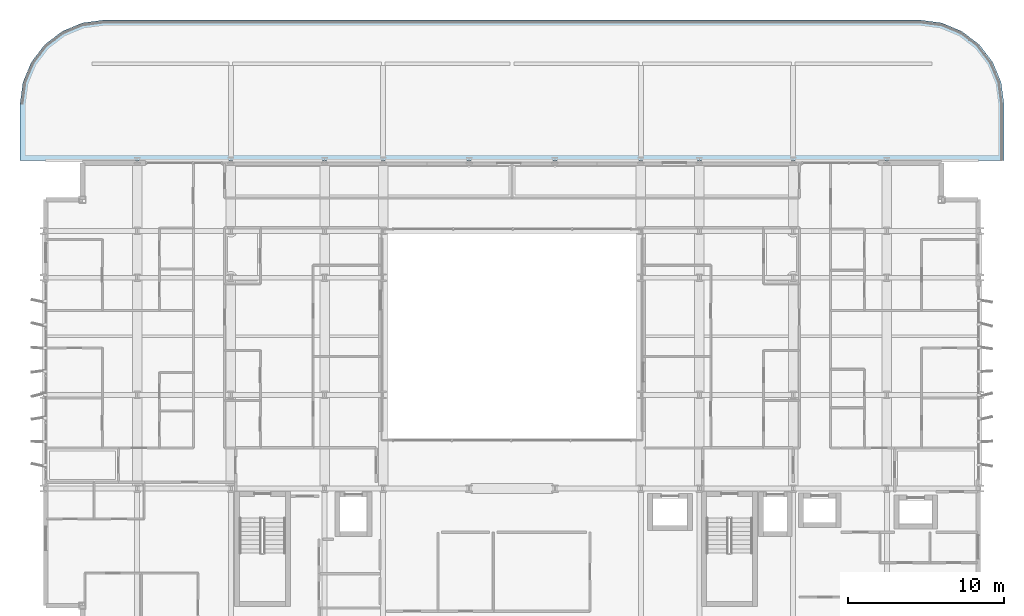
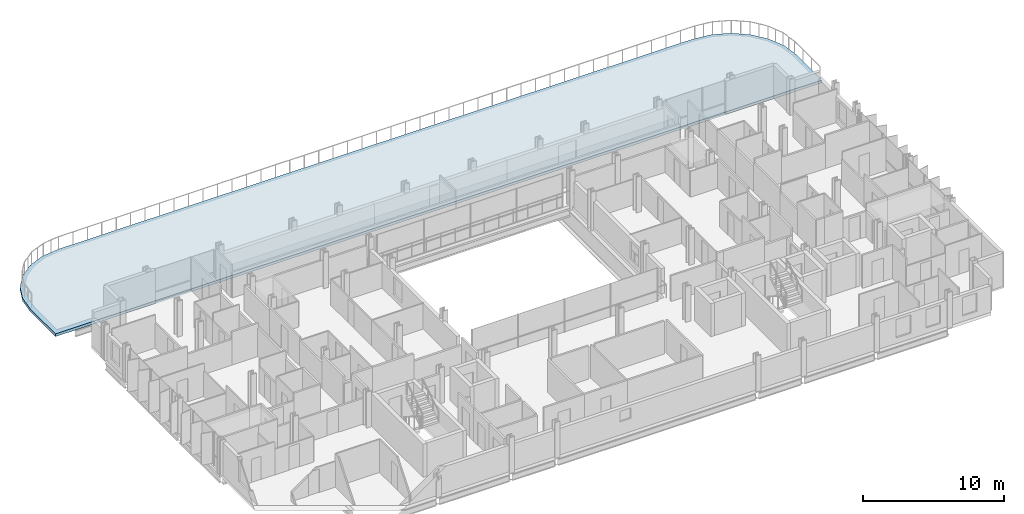
# One storey, part 25 of 38: 1 slab.
"""IFC4 building model written with IfcOpenShell, lengths in metres."""

import ifcopenshell
import ifcopenshell.guid

model = None  # the IFC model being written
_history = None  # IfcOwnerHistory: only IFC2X3 demands one
_inside = {}  # id of a spatial element -> (the spatial element, [elements in it])
_under = {}  # id of a project, library or spatial element -> (it, [spatial elements below it])
_declared = {}  # id of a project -> (the project, [libraries it declares])
_typed = {}  # id of a type object -> (the type object, [elements of that type])
_made_of = {}  # id of a material, layer set ... -> (it, [elements and type objects made of it])


def new_model(schema):
    """Start an empty IFC model of exactly this schema.

    Asked for "IFC4X3", IfcOpenShell would pick the latest addendum, in which some entities
    have other attributes; the version numbers below select the first issue.
    IFC2X3 requires an IfcOwnerHistory on every rooted entity: one is made here for all.
    """
    global model, _history
    if schema == "IFC4X3":
        model = ifcopenshell.file(schema_version=(4, 3, 0, 0))
    else:
        model = ifcopenshell.file(schema=schema)
    _inside.clear()
    _under.clear()
    _declared.clear()
    _typed.clear()
    _made_of.clear()
    _history = None
    if model.schema == "IFC2X3":
        org = make("IfcOrganization", Name="unknown")
        user = make(
            "IfcPersonAndOrganization",
            ThePerson=make("IfcPerson", FamilyName="unknown"),
            TheOrganization=org,
        )
        app = make(
            "IfcApplication",
            ApplicationDeveloper=org,
            Version="unknown",
            ApplicationFullName="unknown",
            ApplicationIdentifier="unknown",
        )
        _history = make(
            "IfcOwnerHistory",
            OwningUser=user,
            OwningApplication=app,
            ChangeAction="ADDED",
            CreationDate=0,
        )
    return model


def make(cls, **values):
    """One entity of the class cls with the attributes given. An attribute that is None is left unset."""
    return model.create_entity(
        cls, **{name: value for name, value in values.items() if value is not None}
    )


def rooted(cls, **values):
    """An entity with a GlobalId (a new one), such as an element, a storey or a relation."""
    return make(cls, GlobalId=ifcopenshell.guid.new(), OwnerHistory=_history, **values)


def si_unit(unit_type, name, prefix=None):
    """IfcSIUnit, for example si_unit("LENGTHUNIT", "METRE", prefix="MILLI")."""
    return make("IfcSIUnit", UnitType=unit_type, Prefix=prefix, Name=name)


def assignment(units):
    """IfcUnitAssignment: the units of a project."""
    return None if units is None else make("IfcUnitAssignment", Units=units)


def point(xyz):
    """IfcCartesianPoint."""
    return None if xyz is None else make("IfcCartesianPoint", Coordinates=xyz)


def direction(xyz):
    """IfcDirection."""
    return None if xyz is None else make("IfcDirection", DirectionRatios=xyz)


def frame(location, z_axis=None, x_axis=None):
    """IfcAxis2Placement3D, a coordinate frame: its origin and axes. An axis left out is left unset."""
    return make(
        "IfcAxis2Placement3D",
        Location=point(location),
        Axis=direction(z_axis),
        RefDirection=direction(x_axis),
    )


def origin():
    """The frame at (0, 0, 0) with its axes left unset."""
    return frame((0.0, 0.0, 0.0))


def place(relative_to, where):
    """IfcLocalPlacement: puts the frame where relative to a parent placement (None: the world)."""
    return make(
        "IfcLocalPlacement", PlacementRelTo=relative_to, RelativePlacement=where
    )


def context(
    kind, dimensions, precision=None, world=None, true_north=None, identifier=None
):
    """IfcGeometricRepresentationContext, for example the 3D "Model" context."""
    return make(
        "IfcGeometricRepresentationContext",
        ContextIdentifier=identifier,
        ContextType=kind,
        CoordinateSpaceDimension=dimensions,
        Precision=precision,
        WorldCoordinateSystem=world,
        TrueNorth=true_north,
    )


def subcontext(parent, identifier, kind, view, scale=None):
    """IfcGeometricRepresentationSubContext, for example "Body" below "Model"."""
    return make(
        "IfcGeometricRepresentationSubContext",
        ContextIdentifier=identifier,
        ContextType=kind,
        ParentContext=parent,
        TargetScale=scale,
        TargetView=view,
    )


def project(units=None, contexts=None):
    """IfcProject with its units and contexts."""
    return rooted(
        "IfcProject",
        Name="project",
        RepresentationContexts=contexts,
        UnitsInContext=assignment(units),
    )


def spatial(cls, under=None, at=None, **own):
    """A site, building, storey or space (cls), placed at a placement, below another one or the project."""
    s = rooted(cls, ObjectPlacement=at, **own)
    if under is not None:
        _under.setdefault(under.id(), (under, []))[1].append(s)
    return s


def polyline(points):
    """IfcPolyline through the points."""
    return make("IfcPolyline", Points=[point(p) for p in points])


def outline(outer, holes=None, kind="AREA"):
    """IfcArbitraryClosedProfileDef: a profile drawn as a closed curve; with holes, ...WithVoids."""
    if holes is None:
        return make("IfcArbitraryClosedProfileDef", ProfileType=kind, OuterCurve=outer)
    return make(
        "IfcArbitraryProfileDefWithVoids",
        ProfileType=kind,
        OuterCurve=outer,
        InnerCurves=holes,
    )


def extrude(swept, where, along, depth):
    """IfcExtrudedAreaSolid: the profile swept, set in the frame where, extruded along a direction by depth."""
    return make(
        "IfcExtrudedAreaSolid",
        SweptArea=swept,
        Position=where,
        ExtrudedDirection=direction(along),
        Depth=depth,
    )


def shape(context_of_items, identifier, shape_type, items):
    """IfcShapeRepresentation: the items that make up one representation, for example the "Body"."""
    return make(
        "IfcShapeRepresentation",
        ContextOfItems=context_of_items,
        RepresentationIdentifier=identifier,
        RepresentationType=shape_type,
        Items=items,
    )


def material(Name=None, Category=None):
    """IfcMaterial."""
    return make("IfcMaterial", Name=Name, Category=Category)


def layer(
    of_material, thickness, ventilated=None, Name=None, Category=None, Priority=None
):
    """IfcMaterialLayer: one layer of a wall or slab, of a material (None: an air gap)."""
    return make(
        "IfcMaterialLayer",
        Material=of_material,
        LayerThickness=thickness,
        IsVentilated=ventilated,
        Name=Name,
        Category=Category,
        Priority=Priority,
    )


def layer_set(layers, Name=None):
    """IfcMaterialLayerSet."""
    return make("IfcMaterialLayerSet", MaterialLayers=layers, LayerSetName=Name)


def made_of(thing, what):
    """Note that an element or type object is made of a material, layer set ...; save() writes the relation."""
    if what is not None:
        _made_of.setdefault(what.id(), (what, []))[1].append(thing)
    return thing


def type_object(cls, material=None, **own):
    """A type object (cls), such as IfcWallType, which elements share."""
    return made_of(rooted(cls, **own), material)


def element(
    cls,
    number,
    at=None,
    inside=None,
    cuts=None,
    type_object=None,
    material=None,
    context=None,
    identifier="Body",
    shape_type=None,
    held_by="IfcProductDefinitionShape",
    body=None,
    shapes=None,
    **own,
):
    """One element of the class cls, such as IfcWall. Its Tag is "e" and its number.

    at: its placement. inside: the storey or other place that contains it. cuts: it is an
    opening in that element (IfcRelVoidsElement). A single representation is given by context,
    identifier, shape_type and body (its items); several are given by shapes. held_by: the class
    of the entity that holds the representations. save() writes the other relations.
    """
    e = rooted(cls, Tag="e%d" % number, ObjectPlacement=at, **own)
    if body is not None:
        shapes = [shape(context, identifier, shape_type, body)]
    if shapes is not None:
        e.Representation = make(held_by, Representations=shapes)
    if inside is not None:
        _inside.setdefault(inside.id(), (inside, []))[1].append(e)
    if cuts is not None:
        rooted(
            "IfcRelVoidsElement", RelatingBuildingElement=cuts, RelatedOpeningElement=e
        )
    if type_object is not None:
        _typed.setdefault(type_object.id(), (type_object, []))[1].append(e)
    return made_of(e, material)


def aggregate(whole, parts):
    """IfcRelAggregates: a whole, such as a stair, and the parts it consists of."""
    return rooted("IfcRelAggregates", RelatingObject=whole, RelatedObjects=parts)


def save(model, path):
    """Write the relations noted so far, then the file.

    IfcRelAggregates (storeys below a building ...), IfcRelContainedInSpatialStructure (elements
    in a storey), IfcRelDefinesByType, IfcRelAssociatesMaterial and IfcRelDeclares: one each for
    every whole, place, type object, material and project.
    """
    for whole, parts in _under.values():
        aggregate(whole, parts)
    for where, things in _inside.values():
        rooted(
            "IfcRelContainedInSpatialStructure",
            RelatedElements=things,
            RelatingStructure=where,
        )
    for kind, things in _typed.values():
        rooted("IfcRelDefinesByType", RelatedObjects=things, RelatingType=kind)
    for what, things in _made_of.values():
        rooted("IfcRelAssociatesMaterial", RelatedObjects=things, RelatingMaterial=what)
    for by, libraries in _declared.values():
        rooted("IfcRelDeclares", RelatingContext=by, RelatedDefinitions=libraries)
    model.write(path)


model = new_model("IFC4")

# Units and contexts
model_context = context("Model", 3, precision=1e-05, world=origin(), true_north=direction((0.0, 1.0)))
body_context = subcontext(model_context, "Body", "Model", "MODEL_VIEW")
ifc_project = project(units=[si_unit("LENGTHUNIT", "METRE"), si_unit("AREAUNIT", "SQUARE_METRE"), si_unit("VOLUMEUNIT", "CUBIC_METRE"), si_unit("PLANEANGLEUNIT", "RADIAN"), si_unit("MASSUNIT", "GRAM", prefix="KILO")], contexts=[model_context])

# Site, building, storey
site_placement = place(None, origin())
site = spatial("IfcSite", under=ifc_project, at=site_placement, CompositionType="ELEMENT")
building_placement = place(site_placement, origin())
building = spatial("IfcBuilding", under=site, at=building_placement, Name="Brevholm Reach", CompositionType="ELEMENT")
storey_placement = place(building_placement, frame((0.0, 0.0, 28.0)))
storey = spatial("IfcBuildingStorey", under=building, at=storey_placement, Name="L06", CompositionType="ELEMENT", Elevation=28.0)

# Slab
ifc_material = material(Name="Concrete C40/50", Category="concrete")
ifc_layer = layer(ifc_material, 0.239990234375)
ifc_layer_set = layer_set([ifc_layer], Name="Concrete C40/50")
slab_type = type_object("IfcSlabType", Name="SLB-RF-240", PredefinedType="ROOF", material=ifc_layer_set)
slab_placement = place(storey_placement, frame((0.0, 0.0, -0.27001953125)))
element("IfcSlab", 1, at=slab_placement, inside=storey, type_object=slab_type, Name="Outdoor Terrace Roof Slab (podium-play-terrace)", PredefinedType="ROOF", context=body_context, shape_type="SweptSolid", body=[
    extrude(outline(polyline([(-1.5, 31.0), (61.5, 31.0), (61.5, 34.60009765625), (61.31591796875, 35.99755859375), (60.776611328125, 37.300048828125), (59.91845703125, 38.41845703125), (58.800048828125, 39.276611328125), (57.49755859375, 39.81591796875), (56.10009765625, 40.0), (3.89990234375, 40.0), (2.50244140625, 39.81591796875), (1.199951171875, 39.276611328125), (0.08154296875, 38.41845703125), (-0.776611328125, 37.300048828125), (-1.31591796875, 35.99755859375), (-1.5, 34.60009765625), (-1.5, 31.0)])), origin(), (0.0, 0.0, 1.0), 0.239990234375),
])

save(model, "model.ifc")
